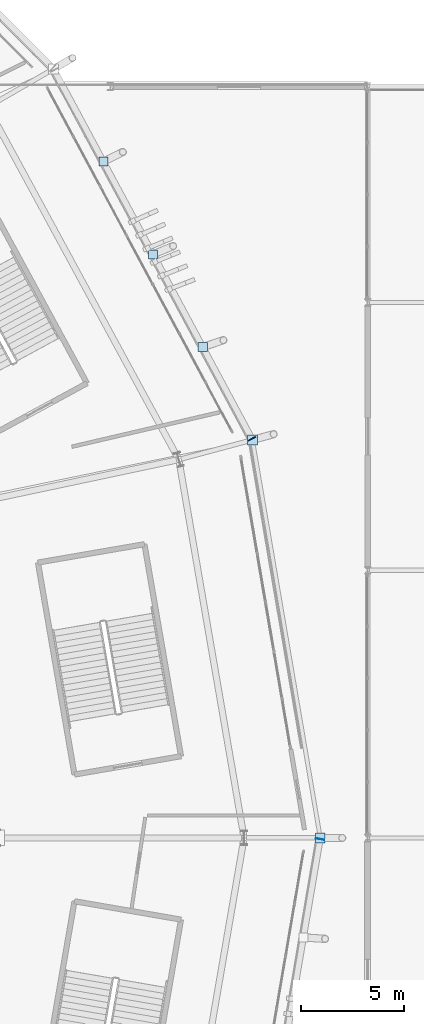
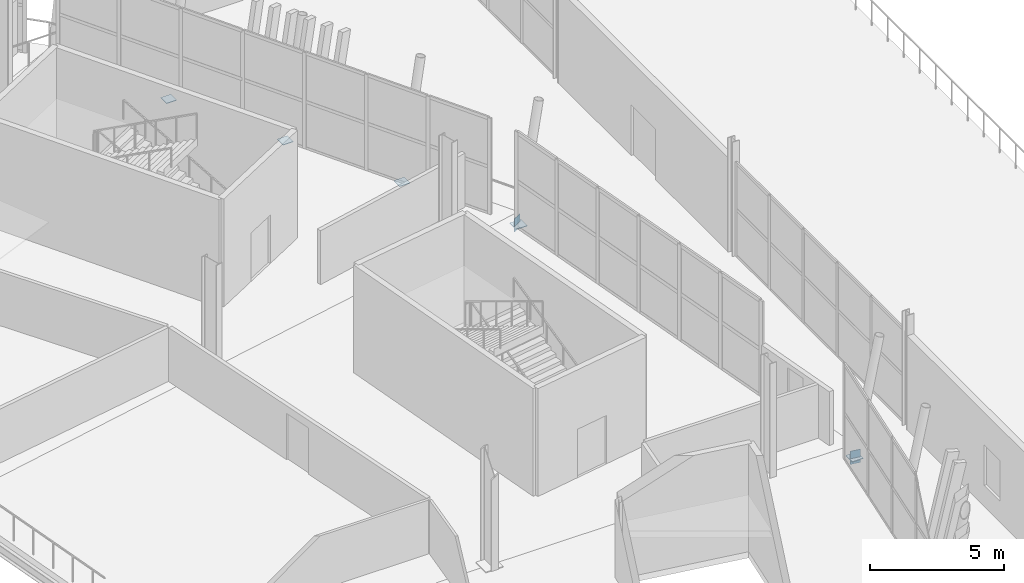
# One storey, part 108 of 168: 7 plates.
"""IFC4 building model written with IfcOpenShell, lengths in metres."""

from ifc_helpers import new_model, si_unit, direction, frame, origin, origin_2d, place, context, subcontext, project, spatial, rectangle, extrude, material, layer, layer_set, type_object, element, save


model = new_model("IFC4")

# Units and contexts
model_context = context("Model", 3, precision=1e-05, world=origin(), true_north=direction((0.0, 1.0)))
body_context = subcontext(model_context, "Body", "Model", "MODEL_VIEW")
ifc_project = project(units=[si_unit("LENGTHUNIT", "METRE"), si_unit("AREAUNIT", "SQUARE_METRE"), si_unit("VOLUMEUNIT", "CUBIC_METRE"), si_unit("PLANEANGLEUNIT", "RADIAN"), si_unit("MASSUNIT", "GRAM", prefix="KILO")], contexts=[model_context])

# Site, building, storey
site_placement = place(None, origin())
site = spatial("IfcSite", under=ifc_project, at=site_placement, CompositionType="ELEMENT")
building_placement = place(site_placement, origin())
building = spatial("IfcBuilding", under=site, at=building_placement, Name="Zlatoyarsky Gate Stadium", CompositionType="ELEMENT")
storey_placement = place(building_placement, frame((0.0, 0.0, 15.60009765625)))
storey = spatial("IfcBuildingStorey", under=building, at=storey_placement, Name="L03", CompositionType="ELEMENT", Elevation=15.60009765625)

# Plates
ifc_material = material(Name="Steel S355", Category="steel")
ifc_layer = layer(ifc_material, 0.02392578125)
ifc_layer_set = layer_set([ifc_layer], Name="Steel S355")
plate_type = type_object("IfcPlateType", Name="STEEL HOLLOW CHORD SPLICE SHEET 24", PredefinedType="SHEET", material=ifc_layer_set)
plate_1_placement = place(storey_placement, frame((207.7021484375, 80.0, -0.592041015625), z_axis=(0.0, 0.0, 1.0), x_axis=(1.0, 0.0, 0.0)))
element("IfcPlate", 1, at=plate_1_placement, inside=storey, type_object=plate_type, Name="Node closure plate ND-SP1 NCAP-L03-RSTR-00", PredefinedType="SHEET", context=body_context, shape_type="SweptSolid", body=[
    extrude(rectangle(XDim=0.47998046875, YDim=0.47998046875, at=origin_2d()), origin(), (0.0, 0.0, 1.0), 0.02392578125),
])
plate_2_placement = place(storey_placement, frame((204.37890625, 99.38720703125, -0.830078125), z_axis=(0.0, 0.0, 1.0), x_axis=(-0.472555712276, 0.881300799271, 0.0)))
element("IfcPlate", 2, at=plate_2_placement, inside=storey, type_object=plate_type, Name="Hollow end cap ND-SP1 CAP-L03-SPD-01 A", PredefinedType="SHEET", context=body_context, shape_type="SweptSolid", body=[
    extrude(rectangle(XDim=0.02392578125, YDim=0.39990234375, at=origin_2d()), origin(), (0.0, 0.0, 1.0), 0.60009765625),
])
plate_3_placement = place(storey_placement, frame((204.4072265625, 99.33447265625, -0.592041015625), z_axis=(0.0, 0.0, 1.0), x_axis=(1.0, 0.0, 0.0)))
element("IfcPlate", 3, at=plate_3_placement, inside=storey, type_object=plate_type, Name="Node closure plate ND-SP1 NCAP-L03-RSTR-01", PredefinedType="SHEET", context=body_context, shape_type="SweptSolid", body=[
    extrude(rectangle(XDim=0.47998046875, YDim=0.47998046875, at=origin_2d()), origin(), (0.0, 0.0, 1.0), 0.02392578125),
])
plate_4_placement = place(storey_placement, frame((207.692138671875, 79.94091796875, -0.830078125), z_axis=(0.0, 0.0, 1.0), x_axis=(0.167999444579, 0.985787089904, 0.0)))
element("IfcPlate", 4, at=plate_4_placement, inside=storey, type_object=plate_type, Name="Hollow end cap ND-SP1 CAP-L03-SPD-23 B", PredefinedType="SHEET", context=body_context, shape_type="SweptSolid", body=[
    extrude(rectangle(XDim=0.02392578125, YDim=0.39990234375, at=origin_2d()), origin(), (0.0, 0.0, 1.0), 0.60009765625),
])
for number, where, z_axis, x_axis, name in (
    (5, (201.9921875, 103.838623046875, -0.5419921875), (0.0, 0.0, 1.0), (1.0, 0.0, 0.0), "Node closure plate ND-SP1 NCAP-RIB-01-1-1T"),
    (6, (199.576904296875, 108.3427734375, -0.5419921875), (0.0, 0.0, 1.0), (1.0, 0.0, 0.0), "Node closure plate ND-SP1 NCAP-RIB-01-2-1T"),
    (7, (197.16162109375, 112.846923828125, -0.5419921875), (0.0, 0.0, 1.0), (1.0, 0.0, 0.0), "Node closure plate ND-SP1 NCAP-RIB-01-3-1T"),
):
    element("IfcPlate", number, at=place(storey_placement, frame(where, z_axis=z_axis, x_axis=x_axis)), inside=storey, type_object=plate_type, Name=name, PredefinedType="SHEET", context=body_context, shape_type="SweptSolid", body=[
        extrude(rectangle(XDim=0.43994140625, YDim=0.43994140625, at=origin_2d()), origin(), (0.0, 0.0, 1.0), 0.02392578125),
    ])

save(model, "model.ifc")
